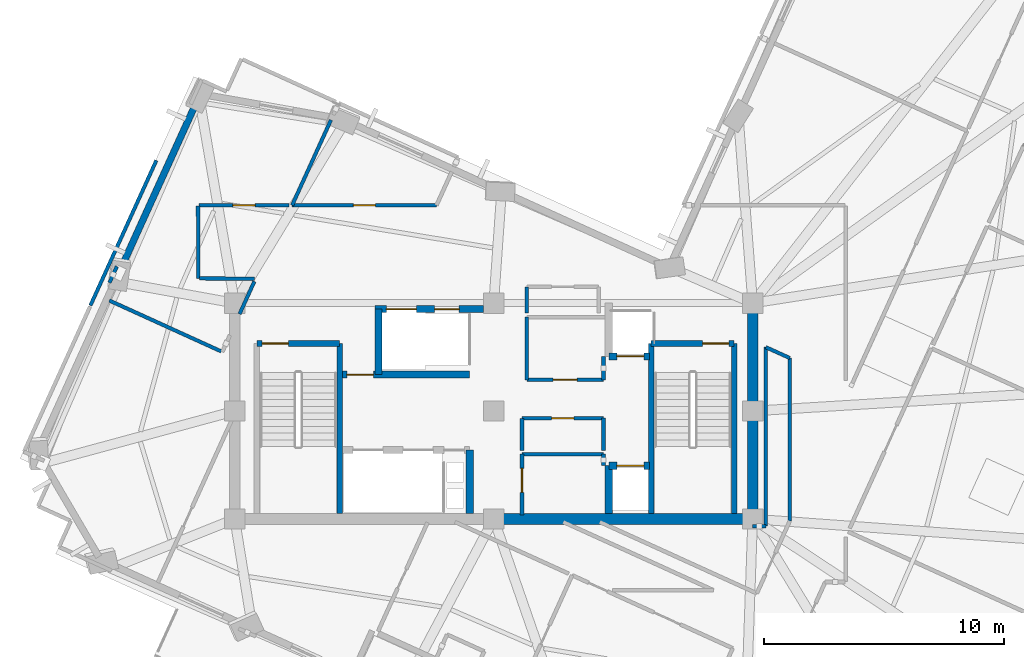
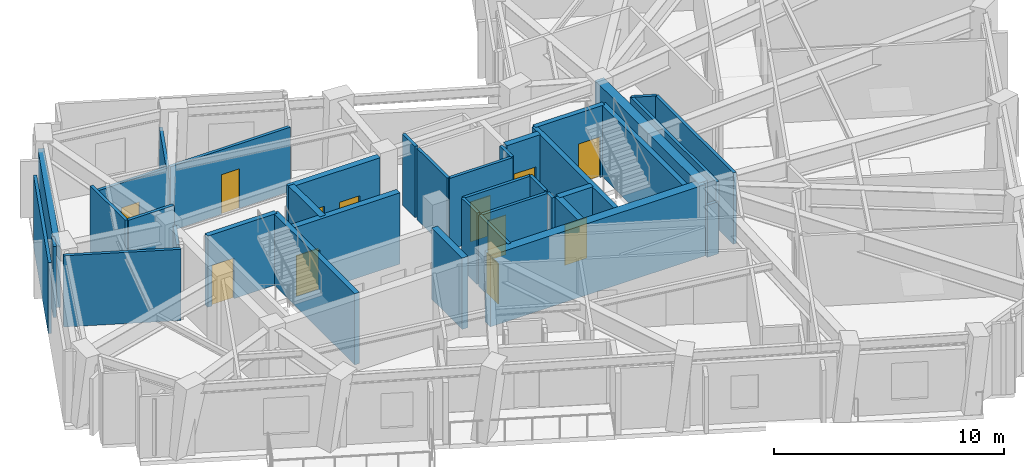
# One storey, part 6 of 13: 38 walls, 12 doors, 12 openings.
"""IFC4 building model written with IfcOpenShell, lengths in metres."""

from ifc_helpers import new_model, si_unit, direction, frame, frame_2d, origin, place, context, subcontext, project, spatial, rectangle, extrude, material, layer, layer_set, type_object, element, fill, save


model = new_model("IFC4")

# Units and contexts
model_context = context("Model", 3, precision=1e-05, world=origin(), true_north=direction((0.0, 1.0)))
body_context = subcontext(model_context, "Body", "Model", "MODEL_VIEW")
ifc_project = project(units=[si_unit("LENGTHUNIT", "METRE"), si_unit("AREAUNIT", "SQUARE_METRE"), si_unit("VOLUMEUNIT", "CUBIC_METRE"), si_unit("PLANEANGLEUNIT", "RADIAN"), si_unit("MASSUNIT", "GRAM", prefix="KILO")], contexts=[model_context])

# Site, building, storey
site_placement = place(None, origin())
site = spatial("IfcSite", under=ifc_project, at=site_placement, CompositionType="ELEMENT")
building_placement = place(site_placement, origin())
building = spatial("IfcBuilding", under=site, at=building_placement, Name="Gaonmaruhae Medical Tower", CompositionType="ELEMENT")
storey_placement = place(building_placement, frame((0.0, 0.0, 304.60009765625)))
storey = spatial("IfcBuildingStorey", under=building, at=storey_placement, Name="L73", CompositionType="ELEMENT", Elevation=304.60009765625)

# Walls
ifc_material_1 = material(Name="Concrete C50/60", Category="concrete")
ifc_layer_1 = layer(ifc_material_1, 0.449951171875)
ifc_layer_set_1 = layer_set([ifc_layer_1], Name="Concrete C50/60")
wall_type_1 = type_object("IfcWallType", Name="CW-450 Upper Core Shear Wall", PredefinedType="SHEAR", material=ifc_layer_set_1)
wall_1_placement = place(storey_placement, frame((24.800048828125, 7.800048828125, 0.0), z_axis=(0.0, 0.0, 1.0), x_axis=(1.0, 0.0, 0.0)))
element("IfcWall", 1, at=wall_1_placement, inside=storey, type_object=wall_type_1, Name="L73 Core Shear Wall CSW-S2", PredefinedType="SHEAR", context=body_context, shape_type="SweptSolid", body=[
    extrude(rectangle(XDim=10.800048828125, YDim=0.449951171875, at=frame_2d((5.39990234375, 0.0))), origin(), (0.0, 0.0, 1.0), 3.77978515625),
])
wall_2_placement = place(storey_placement, frame((35.60009765625, 7.800048828125, 0.0), z_axis=(0.0, 0.0, 1.0), x_axis=(0.0, 1.0, 0.0)))
element("IfcWall", 2, at=wall_2_placement, inside=storey, type_object=wall_type_1, Name="L73 Core Shear Wall CSW-E1", PredefinedType="SHEAR", context=body_context, shape_type="SweptSolid", body=[
    extrude(rectangle(XDim=9.0, YDim=0.449951171875, at=frame_2d((4.5, 0.0))), origin(), (0.0, 0.0, 1.0), 3.77978515625),
])
ifc_material_2 = material(Name="Precast concrete C45/55", Category="concrete")
ifc_layer_2 = layer(ifc_material_2, 0.280029296875)
ifc_layer_set_2 = layer_set([ifc_layer_2], Name="Precast concrete C45/55")
wall_type_2 = type_object("IfcWallType", Name="EW-280 Upper Precast Masonry-Frame Facade Wall", PredefinedType="SOLIDWALL", material=ifc_layer_set_2)
wall_3_placement = place(storey_placement, frame((9.256591796875, 18.251953125, 0.0), z_axis=(0.0, 0.0, 1.0), x_axis=(0.413924181298, 0.910311359996, 0.0)))
element("IfcWall", 3, at=wall_3_placement, inside=storey, type_object=wall_type_2, Name="L73 Precast Masonry-Frame Wall N01-N02", PredefinedType="SOLIDWALL", context=body_context, shape_type="SweptSolid", body=[
    extrude(rectangle(XDim=7.43408203125, YDim=0.280029296875, at=frame_2d((3.717041015625, 0.0))), origin(), (0.0, 0.0, 1.0), 3.264892578125),
])

# Wall, opening, door
ifc_material_3 = material(Name="Gypsum board partition", Category="gypsum")
ifc_layer_3 = layer(ifc_material_3, 0.14990234375)
ifc_layer_set_3 = layer_set([ifc_layer_3], Name="Gypsum board partition")
wall_type_3 = type_object("IfcWallType", Name="PW-150 Rated Clinical Corridor Partition", PredefinedType="PARTITIONING", material=ifc_layer_set_3)
wall_4_placement = place(storey_placement, frame((25.97998046875, 7.9599609375, 0.0), z_axis=(0.0, 0.0, 1.0), x_axis=(0.0, 1.0, 0.0)))
wall_4 = element("IfcWall", 4, at=wall_4_placement, inside=storey, type_object=wall_type_3, Name="L73 Interior Partition L73-RCL1-1", PredefinedType="PARTITIONING", context=body_context, shape_type="SweptSolid", body=[
    extrude(rectangle(XDim=2.5400390625, YDim=0.14990234375, at=frame_2d((1.27001953125, 0.0))), origin(), (0.0, 0.0, 1.0), 3.77978515625),
])
opening_1_placement = place(wall_4_placement, frame((0.945068359375, 0.0, 0.0)))
opening_1 = element("IfcOpeningElement", 5, at=opening_1_placement, cuts=wall_4, Name="Opening CD-01", PredefinedType="OPENING", context=body_context, shape_type="SweptSolid", body=[
    extrude(rectangle(XDim=1.0, YDim=2.1201171875, at=frame_2d((0.5, 1.06005859375))), frame((0.0, 0.0849609375, 0.0), z_axis=(0.0, -1.0, 0.0), x_axis=(1.0, 0.0, 0.0)), (0.0, 0.0, 1.0), 0.169921875),
])
ifc_material_4 = material(Name="Antimicrobial laminate timber fire door", Category="wood")
door_type_1 = type_object("IfcDoorType", Name="CD-01 Consultation & Physician Office Door 1000x2120", OperationType="NOTDEFINED", PredefinedType="DOOR", material=ifc_material_4)
door_1_placement = place(opening_1_placement, origin())
door_1 = element("IfcDoor", 6, at=door_1_placement, inside=storey, type_object=door_type_1, Name="L73 Clinical Telemetry and Medication Room Door", OperationType="SINGLE_SWING_RIGHT", OverallHeight=2.1201171875, OverallWidth=1.0, PredefinedType="DOOR", context=body_context, shape_type="SweptSolid", body=[
    extrude(rectangle(XDim=1.0, YDim=2.1201171875, at=frame_2d((0.5, 1.06005859375))), frame((0.0, 0.02490234375, 0.0), z_axis=(0.0, -1.0, 0.0), x_axis=(1.0, 0.0, 0.0)), (0.0, 0.0, 1.0), 0.050048828125),
])
fill(opening_1, door_1)

# Walls
wall_5_placement = place(storey_placement, frame((25.97998046875, 10.5, 0.0), z_axis=(0.0, 0.0, 1.0), x_axis=(1.0, 0.0, 0.0)))
element("IfcWall", 7, at=wall_5_placement, inside=storey, type_object=wall_type_3, Name="L73 Interior Partition L73-RCL1-2", PredefinedType="PARTITIONING", context=body_context, shape_type="SweptSolid", body=[
    extrude(rectangle(XDim=3.39990234375, YDim=0.14990234375, at=frame_2d((1.699951171875, 0.0))), origin(), (0.0, 0.0, 1.0), 3.77978515625),
])
wall_6_placement = place(storey_placement, frame((29.3798828125, 10.5, 0.0), z_axis=(0.0, 0.0, 1.0), x_axis=(0.0, -1.0, 0.0)))
element("IfcWall", 8, at=wall_6_placement, inside=storey, type_object=wall_type_3, Name="L73 Interior Partition L73-RCL1-3", PredefinedType="PARTITIONING", context=body_context, shape_type="SweptSolid", body=[
    extrude(rectangle(XDim=0.47998046875, YDim=0.14990234375, at=frame_2d((0.239990234375, 0.0))), origin(), (0.0, 0.0, 1.0), 3.77978515625),
])
wall_7_placement = place(storey_placement, frame((25.97998046875, 10.659912109375, 0.0), z_axis=(0.0, 0.0, 1.0), x_axis=(0.0, 1.0, 0.0)))
element("IfcWall", 9, at=wall_7_placement, inside=storey, type_object=wall_type_3, Name="L73 Interior Partition L73-CS1-4", PredefinedType="PARTITIONING", context=body_context, shape_type="SweptSolid", body=[
    extrude(rectangle(XDim=1.340087890625, YDim=0.14990234375, at=frame_2d((0.669921875, 0.0))), origin(), (0.0, 0.0, 1.0), 3.77978515625),
])

# Wall, opening, door
wall_8_placement = place(storey_placement, frame((25.97998046875, 12.0, 0.0), z_axis=(0.0, 0.0, 1.0), x_axis=(1.0, 0.0, 0.0)))
wall_8 = element("IfcWall", 10, at=wall_8_placement, inside=storey, type_object=wall_type_3, Name="L73 Interior Partition L73-CS1-5", PredefinedType="PARTITIONING", context=body_context, shape_type="SweptSolid", body=[
    extrude(rectangle(XDim=3.39990234375, YDim=0.14990234375, at=frame_2d((1.699951171875, 0.0))), origin(), (0.0, 0.0, 1.0), 3.77978515625),
])
opening_2_placement = place(wall_8_placement, frame((1.239990234375, 0.0, 0.0)))
opening_2 = element("IfcOpeningElement", 11, at=opening_2_placement, cuts=wall_8, Name="Opening UD-01", PredefinedType="OPENING", context=body_context, shape_type="SweptSolid", body=[
    extrude(rectangle(XDim=0.919921875, YDim=2.10009765625, at=frame_2d((0.4599609375, 1.050048828125))), frame((0.0, 0.0849609375, 0.0), z_axis=(0.0, -1.0, 0.0), x_axis=(1.0, 0.0, 0.0)), (0.0, 0.0, 1.0), 0.169921875),
])
ifc_material_5 = material(Name="Powder-coated steel utility door", Category="steel")
door_type_2 = type_object("IfcDoorType", Name="UD-01 Toilet, Utility & Housekeeping Door 920x2100", OperationType="NOTDEFINED", PredefinedType="DOOR", material=ifc_material_5)
door_2_placement = place(opening_2_placement, origin())
door_2 = element("IfcDoor", 12, at=door_2_placement, inside=storey, type_object=door_type_2, Name="L73 Accessible Staff Toilet Door", OperationType="SINGLE_SWING_LEFT", OverallHeight=2.10009765625, OverallWidth=0.919921875, PredefinedType="DOOR", context=body_context, shape_type="SweptSolid", body=[
    extrude(rectangle(XDim=0.919921875, YDim=2.10009765625, at=frame_2d((0.4599609375, 1.050048828125))), frame((0.0, 0.02490234375, 0.0), z_axis=(0.0, -1.0, 0.0), x_axis=(1.0, 0.0, 0.0)), (0.0, 0.0, 1.0), 0.050048828125),
])
fill(opening_2, door_2)

# Walls
wall_9_placement = place(storey_placement, frame((29.3798828125, 12.0, 0.0), z_axis=(0.0, 0.0, 1.0), x_axis=(0.0, -1.0, 0.0)))
element("IfcWall", 13, at=wall_9_placement, inside=storey, type_object=wall_type_3, Name="L73 Interior Partition L73-CS1-6", PredefinedType="PARTITIONING", context=body_context, shape_type="SweptSolid", body=[
    extrude(rectangle(XDim=1.340087890625, YDim=0.14990234375, at=frame_2d((0.669921875, 0.0))), origin(), (0.0, 0.0, 1.0), 3.77978515625),
])
wall_10_placement = place(storey_placement, frame((26.179931640625, 13.60009765625, 0.0), z_axis=(0.0, 0.0, 1.0), x_axis=(0.0, 1.0, 0.0)))
element("IfcWall", 14, at=wall_10_placement, inside=storey, type_object=wall_type_3, Name="L73 Interior Partition L73-RCL2-7", PredefinedType="PARTITIONING", context=body_context, shape_type="SweptSolid", body=[
    extrude(rectangle(XDim=2.619873046875, YDim=0.14990234375, at=frame_2d((1.31005859375, 0.0))), origin(), (0.0, 0.0, 1.0), 3.77978515625),
])
wall_11_placement = place(storey_placement, frame((29.3798828125, 14.580078125, 0.0), z_axis=(0.0, 0.0, 1.0), x_axis=(0.0, -1.0, 0.0)))
element("IfcWall", 15, at=wall_11_placement, inside=storey, type_object=wall_type_3, Name="L73 Interior Partition L73-RCL2-9", PredefinedType="PARTITIONING", context=body_context, shape_type="SweptSolid", body=[
    extrude(rectangle(XDim=0.97998046875, YDim=0.14990234375, at=frame_2d((0.489990234375, 0.0))), origin(), (0.0, 0.0, 1.0), 3.77978515625),
])

# Wall, opening, door
wall_12_placement = place(storey_placement, frame((29.3798828125, 13.60009765625, 0.0), z_axis=(0.0, 0.0, 1.0), x_axis=(-1.0, 0.0, 0.0)))
wall_12 = element("IfcWall", 16, at=wall_12_placement, inside=storey, type_object=wall_type_3, Name="L73 Interior Partition L73-RCL2-10", PredefinedType="PARTITIONING", context=body_context, shape_type="SweptSolid", body=[
    extrude(rectangle(XDim=3.199951171875, YDim=0.14990234375, at=frame_2d((1.60009765625, 0.0))), origin(), (0.0, 0.0, 1.0), 3.77978515625),
])
opening_3_placement = place(wall_12_placement, frame((1.10009765625, 0.0, 0.0)))
opening_3 = element("IfcOpeningElement", 17, at=opening_3_placement, cuts=wall_12, Name="Opening CD-01", PredefinedType="OPENING", context=body_context, shape_type="SweptSolid", body=[
    extrude(rectangle(XDim=1.0, YDim=2.1201171875, at=frame_2d((0.5, 1.06005859375))), frame((0.0, 0.0849609375, 0.0), z_axis=(0.0, -1.0, 0.0), x_axis=(1.0, 0.0, 0.0)), (0.0, 0.0, 1.0), 0.169921875),
])
door_3_placement = place(opening_3_placement, origin())
door_3 = element("IfcDoor", 18, at=door_3_placement, inside=storey, type_object=door_type_1, Name="L73 High-Zone Specialist Pharmacy Prep Room Door", OperationType="SINGLE_SWING_LEFT", OverallHeight=2.1201171875, OverallWidth=1.0, PredefinedType="DOOR", context=body_context, shape_type="SweptSolid", body=[
    extrude(rectangle(XDim=1.0, YDim=2.1201171875, at=frame_2d((0.5, 1.06005859375))), frame((0.0, 0.02490234375, 0.0), z_axis=(0.0, -1.0, 0.0), x_axis=(1.0, 0.0, 0.0)), (0.0, 0.0, 1.0), 0.050048828125),
])
fill(opening_3, door_3)

# Walls
wall_13_placement = place(storey_placement, frame((26.179931640625, 16.3798828125, 0.0), z_axis=(0.0, 0.0, 1.0), x_axis=(0.0, 1.0, 0.0)))
element("IfcWall", 19, at=wall_13_placement, inside=storey, type_object=wall_type_3, Name="L73 Interior Partition L73-CS2-11", PredefinedType="PARTITIONING", context=body_context, shape_type="SweptSolid", body=[
    extrude(rectangle(XDim=1.10009765625, YDim=0.14990234375, at=frame_2d((0.550048828125, 0.0))), origin(), (0.0, 0.0, 1.0), 3.77978515625),
])
wall_14_placement = place(storey_placement, frame((35.60009765625, 7.5, 0.0), z_axis=(0.0, 0.0, 1.0), x_axis=(1.0, 0.0, 0.0)))
element("IfcWall", 20, at=wall_14_placement, inside=storey, type_object=wall_type_3, Name="L73 Interior Partition L73-IE01-61", PredefinedType="PARTITIONING", context=body_context, shape_type="SweptSolid", body=[
    extrude(rectangle(XDim=0.5498046875, YDim=0.14990234375, at=frame_2d((0.27490234375, 0.0))), origin(), (0.0, 0.0, 1.0), 2.764892578125),
])
wall_15_placement = place(storey_placement, frame((36.14990234375, 7.5, 0.0), z_axis=(0.0, 0.0, 1.0), x_axis=(0.0, 1.0, 0.0)))
element("IfcWall", 21, at=wall_15_placement, inside=storey, type_object=wall_type_3, Name="L73 Interior Partition L73-IE01-62", PredefinedType="PARTITIONING", context=body_context, shape_type="SweptSolid", body=[
    extrude(rectangle(XDim=7.462890625, YDim=0.14990234375, at=frame_2d((3.7314453125, 0.0))), origin(), (0.0, 0.0, 1.0), 3.77978515625),
])
wall_16_placement = place(storey_placement, frame((36.14990234375, 14.962890625, 0.0), z_axis=(0.0, 0.0, 1.0), x_axis=(0.910602348761, -0.413283634362, 0.0)))
element("IfcWall", 22, at=wall_16_placement, inside=storey, type_object=wall_type_3, Name="L73 Interior Partition L73-IE01-63", PredefinedType="PARTITIONING", context=body_context, shape_type="SweptSolid", body=[
    extrude(rectangle(XDim=1.09814453125, YDim=0.14990234375, at=frame_2d((0.549072265625, 0.0))), origin(), (0.0, 0.0, 1.0), 3.77978515625),
])
wall_17_placement = place(storey_placement, frame((37.14990234375, 14.509033203125, 0.0), z_axis=(0.0, 0.0, 1.0), x_axis=(0.0, -1.0, 0.0)))
element("IfcWall", 23, at=wall_17_placement, inside=storey, type_object=wall_type_3, Name="L73 Interior Partition L73-IE01-64", PredefinedType="PARTITIONING", context=body_context, shape_type="SweptSolid", body=[
    extrude(rectangle(XDim=6.7861328125, YDim=0.14990234375, at=frame_2d((3.39306640625, 0.0))), origin(), (0.0, 0.0, 1.0), 3.77978515625),
])

# Wall, opening, door
wall_18_placement = place(storey_placement, frame((22.4140625, 20.8798828125, 0.0), z_axis=(0.0, 0.0, 1.0), x_axis=(-1.0, 0.0, 0.0)))
wall_18 = element("IfcWall", 24, at=wall_18_placement, inside=storey, type_object=wall_type_3, Name="L73 Interior Partition L73-IN02-85", PredefinedType="PARTITIONING", context=body_context, shape_type="SweptSolid", body=[
    extrude(rectangle(XDim=6.01904296875, YDim=0.14990234375, at=frame_2d((3.009521484375, 0.0))), origin(), (0.0, 0.0, 1.0), 3.414794921875),
])
opening_4_placement = place(wall_18_placement, frame((2.549560546875, 0.0, 0.0)))
opening_4 = element("IfcOpeningElement", 25, at=opening_4_placement, cuts=wall_18, Name="Opening UD-01", PredefinedType="OPENING", context=body_context, shape_type="SweptSolid", body=[
    extrude(rectangle(XDim=0.919921875, YDim=2.10009765625, at=frame_2d((0.4599609375, 1.050048828125))), frame((0.0, 0.0849609375, 0.0), z_axis=(0.0, -1.0, 0.0), x_axis=(1.0, 0.0, 0.0)), (0.0, 0.0, 1.0), 0.169921875),
])
door_4_placement = place(opening_4_placement, origin())
door_4 = element("IfcDoor", 26, at=door_4_placement, inside=storey, type_object=door_type_2, Name="L73 Ward Nutrition Pantry Door", OperationType="SINGLE_SWING_RIGHT", OverallHeight=2.10009765625, OverallWidth=0.919921875, PredefinedType="DOOR", context=body_context, shape_type="SweptSolid", body=[
    extrude(rectangle(XDim=0.919921875, YDim=2.10009765625, at=frame_2d((0.4599609375, 1.050048828125))), frame((0.0, 0.02490234375, 0.0), z_axis=(0.0, -1.0, 0.0), x_axis=(1.0, 0.0, 0.0)), (0.0, 0.0, 1.0), 0.050048828125),
])
fill(opening_4, door_4)

# Walls
wall_19_placement = place(storey_placement, frame((16.39501953125, 20.8798828125, 0.0), z_axis=(0.0, 0.0, 1.0), x_axis=(0.413930001639, 0.910308713428, 0.0)))
element("IfcWall", 27, at=wall_19_placement, inside=storey, type_object=wall_type_3, Name="L73 Interior Partition L73-IN02-86", PredefinedType="PARTITIONING", context=body_context, shape_type="SweptSolid", body=[
    extrude(rectangle(XDim=3.90869140625, YDim=0.14990234375, at=frame_2d((1.954345703125, 0.0))), origin(), (0.0, 0.0, 1.0), 2.764892578125),
])
wall_20_placement = place(storey_placement, frame((12.469970703125, 20.85009765625, 0.0), z_axis=(0.0, 0.0, 1.0), x_axis=(0.002345133451, -0.999997250171, 0.0)))
element("IfcWall", 28, at=wall_20_placement, inside=storey, type_object=wall_type_3, Name="L73 Interior Partition L73-IN03-88", PredefinedType="PARTITIONING", context=body_context, shape_type="SweptSolid", body=[
    extrude(rectangle(XDim=3.01904296875, YDim=0.14990234375, at=frame_2d((1.509521484375, 0.0))), origin(), (0.0, 0.0, 1.0), 3.77978515625),
])
wall_21_placement = place(storey_placement, frame((12.527099609375, 17.8310546875, 0.0), z_axis=(0.0, 0.0, 1.0), x_axis=(0.999988521863, -0.004791256759, 0.0)))
element("IfcWall", 29, at=wall_21_placement, inside=storey, type_object=wall_type_3, Name="L73 Interior Partition L73-IN03-89", PredefinedType="PARTITIONING", context=body_context, shape_type="SweptSolid", body=[
    extrude(rectangle(XDim=2.29296875, YDim=0.14990234375, at=frame_2d((1.146484375, 0.0))), origin(), (0.0, 0.0, 1.0), 3.77978515625),
])
wall_22_placement = place(storey_placement, frame((14.820068359375, 17.70703125, 0.0), z_axis=(0.0, 0.0, 1.0), x_axis=(-0.414110008053, -0.910226840535, 0.0)))
element("IfcWall", 30, at=wall_22_placement, inside=storey, type_object=wall_type_3, Name="L73 Interior Partition L73-IN03-90", PredefinedType="PARTITIONING", context=body_context, shape_type="SweptSolid", body=[
    extrude(rectangle(XDim=1.49755859375, YDim=0.14990234375, at=frame_2d((0.748779296875, 0.0))), origin(), (0.0, 0.0, 1.0), 2.764892578125),
])
wall_23_placement = place(storey_placement, frame((13.43701171875, 14.7880859375, 0.0), z_axis=(0.0, 0.0, 1.0), x_axis=(-0.910338738777, 0.413863963981, 0.0)))
element("IfcWall", 31, at=wall_23_placement, inside=storey, type_object=wall_type_3, Name="L73 Interior Partition L73-IN03-92", PredefinedType="PARTITIONING", context=body_context, shape_type="SweptSolid", body=[
    extrude(rectangle(XDim=5.12451171875, YDim=0.14990234375, at=frame_2d((2.562255859375, 0.0))), origin(), (0.0, 0.0, 1.0), 3.77978515625),
])
wall_24_placement = place(storey_placement, frame((8.77490234375, 17.64990234375, 0.0), z_axis=(0.0, 0.0, 1.0), x_axis=(0.413704460003, 0.910411236625, 0.0)))
element("IfcWall", 32, at=wall_24_placement, inside=storey, type_object=wall_type_3, Name="L73 Interior Partition L73-IN03-93", PredefinedType="PARTITIONING", context=body_context, shape_type="SweptSolid", body=[
    extrude(rectangle(XDim=0.7470703125, YDim=0.14990234375, at=frame_2d((0.37353515625, 0.0))), origin(), (0.0, 0.0, 1.0), 3.77978515625),
])

# Wall, opening, door
wall_25_placement = place(storey_placement, frame((16.262939453125, 20.8798828125, 0.0), z_axis=(0.0, 0.0, 1.0), x_axis=(-0.999999966127, -0.000260281095, 0.0)))
wall_25 = element("IfcWall", 33, at=wall_25_placement, inside=storey, type_object=wall_type_3, Name="L73 Interior Partition L73-IN03-98", PredefinedType="PARTITIONING", context=body_context, shape_type="SweptSolid", body=[
    extrude(rectangle(XDim=3.751953125, YDim=0.14990234375, at=frame_2d((1.8759765625, 0.0))), origin(), (0.0, 0.0, 1.0), 3.414794921875),
])
opening_5_placement = place(wall_25_placement, frame((1.416015625, 0.0, 0.0)))
opening_5 = element("IfcOpeningElement", 34, at=opening_5_placement, cuts=wall_25, Name="Opening UD-01", PredefinedType="OPENING", context=body_context, shape_type="SweptSolid", body=[
    extrude(rectangle(XDim=0.919921875, YDim=2.10009765625, at=frame_2d((0.4599609375, 1.050048828125))), frame((0.0, 0.0849609375, 0.0), z_axis=(0.0, -1.0, 0.0), x_axis=(1.0, 0.0, 0.0)), (0.0, 0.0, 1.0), 0.169921875),
])
door_5_placement = place(opening_5_placement, origin())
door_5 = element("IfcDoor", 35, at=door_5_placement, inside=storey, type_object=door_type_2, Name="L73 Public Visitor Toilet Door", OperationType="SINGLE_SWING_RIGHT", OverallHeight=2.10009765625, OverallWidth=0.919921875, PredefinedType="DOOR", context=body_context, shape_type="SweptSolid", body=[
    extrude(rectangle(XDim=0.919921875, YDim=2.10009765625, at=frame_2d((0.4599609375, 1.050048828125))), frame((0.0, 0.02490234375, 0.0), z_axis=(0.0, -1.0, 0.0), x_axis=(1.0, 0.0, 0.0)), (0.0, 0.0, 1.0), 0.050048828125),
])
fill(opening_5, door_5)

# Wall
wall_26_placement = place(storey_placement, frame((7.98291015625, 16.70703125, 0.0), z_axis=(0.0, 0.0, 1.0), x_axis=(0.41384726545, 0.910346330184, 0.0)))
element("IfcWall", 36, at=wall_26_placement, inside=storey, type_object=wall_type_3, Name="L73 Interior Partition L73-RM03-104", PredefinedType="PARTITIONING", context=body_context, shape_type="SweptSolid", body=[
    extrude(rectangle(XDim=6.64013671875, YDim=0.14990234375, at=frame_2d((3.320068359375, 0.0))), origin(), (0.0, 0.0, 1.0), 3.77978515625),
])

# Wall, opening, door
ifc_layer_4 = layer(ifc_material_1, 0.239990234375)
ifc_layer_set_4 = layer_set([ifc_layer_4], Name="Concrete C50/60")
wall_type_4 = type_object("IfcWallType", Name="SW-240 Dogleg Stair Tight Shaft Wall", PredefinedType="SOLIDWALL", material=ifc_layer_set_4)
wall_27_placement = place(storey_placement, frame((14.919921875, 15.1201171875, 0.0), z_axis=(0.0, 0.0, 1.0), x_axis=(1.0, 0.0, 0.0)))
wall_27 = element("IfcWall", 37, at=wall_27_placement, inside=storey, type_object=wall_type_4, Name="L73 ST-01 Stair Shaft Wall SHW-ST-01-N", PredefinedType="SOLIDWALL", context=body_context, shape_type="SweptSolid", body=[
    extrude(rectangle(XDim=3.4599609375, YDim=0.239990234375, at=frame_2d((1.72998046875, 0.0))), origin(), (0.0, 0.0, 1.0), 3.77978515625),
])
opening_6_placement = place(wall_27_placement, frame((0.219970703125, 0.0, 0.0)))
opening_6 = element("IfcOpeningElement", 38, at=opening_6_placement, cuts=wall_27, Name="Opening FD-01", PredefinedType="OPENING", context=body_context, shape_type="SweptSolid", body=[
    extrude(rectangle(XDim=1.10009765625, YDim=2.14990234375, at=frame_2d((0.550048828125, 1.074951171875))), frame((0.0, 0.1298828125, 0.0), z_axis=(0.0, -1.0, 0.0), x_axis=(1.0, 0.0, 0.0)), (0.0, 0.0, 1.0), 0.260009765625),
])
ifc_material_6 = material(Name="Powder-coated steel fire door", Category="steel")
door_type_3 = type_object("IfcDoorType", Name="FD-01 Escape Stair Protected Fire Door 1100x2150", OperationType="NOTDEFINED", PredefinedType="DOOR", material=ifc_material_6)
door_6_placement = place(opening_6_placement, origin())
door_6 = element("IfcDoor", 39, at=door_6_placement, inside=storey, type_object=door_type_3, Name="L73 ST-01 Protected Escape Stair Door", OperationType="SINGLE_SWING_RIGHT", OverallHeight=2.14990234375, OverallWidth=1.10009765625, PredefinedType="DOOR", context=body_context, shape_type="SweptSolid", body=[
    extrude(rectangle(XDim=1.10009765625, YDim=2.14990234375, at=frame_2d((0.550048828125, 1.074951171875))), frame((0.0, 0.02490234375, 0.0), z_axis=(0.0, -1.0, 0.0), x_axis=(1.0, 0.0, 0.0)), (0.0, 0.0, 1.0), 0.050048828125),
])
fill(opening_6, door_6)

# Wall
wall_28_placement = place(storey_placement, frame((18.3798828125, 15.1201171875, 0.0), z_axis=(0.0, 0.0, 1.0), x_axis=(0.0, -1.0, 0.0)))
element("IfcWall", 40, at=wall_28_placement, inside=storey, type_object=wall_type_4, Name="L73 ST-01 Stair Shaft Wall SHW-ST-01-E", PredefinedType="SOLIDWALL", context=body_context, shape_type="SweptSolid", body=[
    extrude(rectangle(XDim=7.09521484375, YDim=0.239990234375, at=frame_2d((3.547607421875, 0.0))), origin(), (0.0, 0.0, 1.0), 3.77978515625),
])

# Wall, opening, door
wall_29_placement = place(storey_placement, frame((31.3701171875, 15.1201171875, 0.0), z_axis=(0.0, 0.0, 1.0), x_axis=(1.0, 0.0, 0.0)))
wall_29 = element("IfcWall", 41, at=wall_29_placement, inside=storey, type_object=wall_type_4, Name="L73 ST-02 Stair Shaft Wall SHW-ST-02-N", PredefinedType="SOLIDWALL", context=body_context, shape_type="SweptSolid", body=[
    extrude(rectangle(XDim=3.4599609375, YDim=0.239990234375, at=frame_2d((1.72998046875, 0.0))), origin(), (0.0, 0.0, 1.0), 3.77978515625),
])
opening_7_placement = place(wall_29_placement, frame((2.139892578125, 0.0, 0.0)))
opening_7 = element("IfcOpeningElement", 42, at=opening_7_placement, cuts=wall_29, Name="Opening FD-01", PredefinedType="OPENING", context=body_context, shape_type="SweptSolid", body=[
    extrude(rectangle(XDim=1.10009765625, YDim=2.14990234375, at=frame_2d((0.550048828125, 1.074951171875))), frame((0.0, 0.1298828125, 0.0), z_axis=(0.0, -1.0, 0.0), x_axis=(1.0, 0.0, 0.0)), (0.0, 0.0, 1.0), 0.260009765625),
])
door_7_placement = place(opening_7_placement, origin())
door_7 = element("IfcDoor", 43, at=door_7_placement, inside=storey, type_object=door_type_3, Name="L73 ST-02 Protected Escape Stair Door", OperationType="SINGLE_SWING_LEFT", OverallHeight=2.14990234375, OverallWidth=1.10009765625, PredefinedType="DOOR", context=body_context, shape_type="SweptSolid", body=[
    extrude(rectangle(XDim=1.10009765625, YDim=2.14990234375, at=frame_2d((0.550048828125, 1.074951171875))), frame((0.0, 0.02490234375, 0.0), z_axis=(0.0, -1.0, 0.0), x_axis=(1.0, 0.0, 0.0)), (0.0, 0.0, 1.0), 0.050048828125),
])
fill(opening_7, door_7)

# Walls
for number, where, z_axis, x_axis, name in (
    (44, (34.830078125, 15.1201171875, 0.0), (0.0, 0.0, 1.0), (0.0, -1.0, 0.0), "L73 ST-02 Stair Shaft Wall SHW-ST-02-E"),
    (45, (31.3701171875, 8.02490234375, 0.0), (0.0, 0.0, 1.0), (0.0, 1.0, 0.0), "L73 ST-02 Stair Shaft Wall SHW-ST-02-W"),
):
    element("IfcWall", number, at=place(storey_placement, frame(where, z_axis=z_axis, x_axis=x_axis)), inside=storey, type_object=wall_type_4, Name=name, PredefinedType="SOLIDWALL", context=body_context, shape_type="SweptSolid", body=[
        extrude(rectangle(XDim=7.09521484375, YDim=0.239990234375, at=frame_2d((3.547607421875, 0.0))), origin(), (0.0, 0.0, 1.0), 3.77978515625),
    ])

# Wall, openings, doors
ifc_layer_5 = layer(ifc_material_1, 0.300048828125)
ifc_layer_set_5 = layer_set([ifc_layer_5], Name="Concrete C50/60")
wall_type_5 = type_object("IfcWallType", Name="SW-300 Stair & Lift Hoistway Shaft Wall", PredefinedType="SOLIDWALL", material=ifc_layer_set_5)
wall_30_placement = place(storey_placement, frame((19.85009765625, 16.550048828125, 0.0), z_axis=(0.0, 0.0, 1.0), x_axis=(1.0, 0.0, 0.0)))
wall_30 = element("IfcWall", 46, at=wall_30_placement, inside=storey, type_object=wall_type_5, Name="L73 Core Shear Wall CSW-NB", PredefinedType="SOLIDWALL", context=body_context, shape_type="SweptSolid", body=[
    extrude(rectangle(XDim=4.52490234375, YDim=0.300048828125, at=frame_2d((2.262451171875, 0.0))), origin(), (0.0, 0.0, 1.0), 3.77978515625),
])
opening_8_placement = place(wall_30_placement, frame((0.47509765625, 0.0, 0.0)))
opening_8 = element("IfcOpeningElement", 47, at=opening_8_placement, cuts=wall_30, Name="Opening LD-F1", PredefinedType="OPENING", context=body_context, shape_type="SweptSolid", body=[
    extrude(rectangle(XDim=1.25, YDim=2.179931640625, at=frame_2d((0.625, 1.08984375))), frame((0.0, 0.16015625, 0.0), z_axis=(0.0, -1.0, 0.0), x_axis=(1.0, 0.0, 0.0)), (0.0, 0.0, 1.0), 0.320068359375),
])
opening_9_placement = place(wall_30_placement, frame((2.489990234375, 0.0, 0.0)))
opening_9 = element("IfcOpeningElement", 48, at=opening_9_placement, cuts=wall_30, Name="Opening LD-S1", PredefinedType="OPENING", context=body_context, shape_type="SweptSolid", body=[
    extrude(rectangle(XDim=1.02001953125, YDim=2.1201171875, at=frame_2d((0.510009765625, 1.06005859375))), frame((0.0, 0.16015625, 0.0), z_axis=(0.0, -1.0, 0.0), x_axis=(1.0, 0.0, 0.0)), (0.0, 0.0, 1.0), 0.320068359375),
])
ifc_material_7 = material(Name="Brushed stainless steel 316L landing door", Category="steel")
door_type_4 = type_object("IfcDoorType", Name="LD-F1 Firefighting & Bed Lift Sliding Landing Door 1250x2180", OperationType="NOTDEFINED", PredefinedType="DOOR", material=ifc_material_7)
door_8_placement = place(opening_8_placement, origin())
door_8 = element("IfcDoor", 49, at=door_8_placement, inside=storey, type_object=door_type_4, Name="L73 Service/Bed Lift Landing Door BDL-01", OperationType="DOUBLE_DOOR_SLIDING", OverallHeight=2.179931640625, OverallWidth=1.25, PredefinedType="DOOR", context=body_context, shape_type="SweptSolid", body=[
    extrude(rectangle(XDim=1.25, YDim=2.179931640625, at=frame_2d((0.625, 1.08984375))), frame((0.0, 0.02490234375, 0.0), z_axis=(0.0, -1.0, 0.0), x_axis=(1.0, 0.0, 0.0)), (0.0, 0.0, 1.0), 0.050048828125),
])
fill(opening_8, door_8)
ifc_material_8 = material(Name="Brushed stainless steel 304 landing door", Category="steel")
door_type_5 = type_object("IfcDoorType", Name="LD-S1 Service Lift Sliding Landing Door 1020x2120", OperationType="NOTDEFINED", PredefinedType="DOOR", material=ifc_material_8)
door_9_placement = place(opening_9_placement, origin())
door_9 = element("IfcDoor", 50, at=door_9_placement, inside=storey, type_object=door_type_5, Name="L73 Service/Bed Lift Landing Door SVL-01", OperationType="SLIDING_TO_LEFT", OverallHeight=2.1201171875, OverallWidth=1.02001953125, PredefinedType="DOOR", context=body_context, shape_type="SweptSolid", body=[
    extrude(rectangle(XDim=1.02001953125, YDim=2.1201171875, at=frame_2d((0.510009765625, 1.06005859375))), frame((0.0, 0.02490234375, 0.0), z_axis=(0.0, -1.0, 0.0), x_axis=(1.0, 0.0, 0.0)), (0.0, 0.0, 1.0), 0.050048828125),
])
fill(opening_9, door_9)

# Wall, opening, door
wall_31_placement = place(storey_placement, frame((18.5, 13.820068359375, 0.0), z_axis=(0.0, 0.0, 1.0), x_axis=(1.0, 0.0, 0.0)))
wall_31 = element("IfcWall", 51, at=wall_31_placement, inside=storey, type_object=wall_type_5, Name="L73 Shaft Enclosure Wall SHW-FFL", PredefinedType="SOLIDWALL", context=body_context, shape_type="SweptSolid", body=[
    extrude(rectangle(XDim=5.300048828125, YDim=0.300048828125, at=frame_2d((2.64990234375, 0.0))), origin(), (0.0, 0.0, 1.0), 3.77978515625),
])
opening_10_placement = place(wall_31_placement, frame((0.179931640625, 0.0, 0.0)))
opening_10 = element("IfcOpeningElement", 52, at=opening_10_placement, cuts=wall_31, Name="Opening FD-01", PredefinedType="OPENING", context=body_context, shape_type="SweptSolid", body=[
    extrude(rectangle(XDim=1.10009765625, YDim=2.14990234375, at=frame_2d((0.550048828125, 1.074951171875))), frame((0.0, 0.16015625, 0.0), z_axis=(0.0, -1.0, 0.0), x_axis=(1.0, 0.0, 0.0)), (0.0, 0.0, 1.0), 0.320068359375),
])
door_10_placement = place(opening_10_placement, origin())
door_10 = element("IfcDoor", 53, at=door_10_placement, inside=storey, type_object=door_type_3, Name="L73 Firefighting Lobby Smoke Door", OperationType="SINGLE_SWING_LEFT", OverallHeight=2.14990234375, OverallWidth=1.10009765625, PredefinedType="DOOR", context=body_context, shape_type="SweptSolid", body=[
    extrude(rectangle(XDim=1.10009765625, YDim=2.14990234375, at=frame_2d((0.550048828125, 1.074951171875))), frame((0.0, 0.02490234375, 0.0), z_axis=(0.0, -1.0, 0.0), x_axis=(1.0, 0.0, 0.0)), (0.0, 0.0, 1.0), 0.050048828125),
])
fill(opening_10, door_10)

# Walls
wall_32_placement = place(storey_placement, frame((23.800048828125, 8.02490234375, 0.0), z_axis=(0.0, 0.0, 1.0), x_axis=(0.0, 1.0, 0.0)))
element("IfcWall", 54, at=wall_32_placement, inside=storey, type_object=wall_type_5, Name="L73 Shaft Enclosure Wall SHW-FFE", PredefinedType="SOLIDWALL", context=body_context, shape_type="SweptSolid", body=[
    extrude(rectangle(XDim=2.655029296875, YDim=0.300048828125, at=frame_2d((1.32763671875, 0.0))), origin(), (0.0, 0.0, 1.0), 3.77978515625),
])
wall_33_placement = place(storey_placement, frame((20.0, 13.820068359375, 0.0), z_axis=(0.0, 0.0, 1.0), x_axis=(0.0, 1.0, 0.0)))
element("IfcWall", 55, at=wall_33_placement, inside=storey, type_object=wall_type_5, Name="L73 Shaft Enclosure Wall SHW-BDW", PredefinedType="SOLIDWALL", context=body_context, shape_type="SweptSolid", body=[
    extrude(rectangle(XDim=2.72998046875, YDim=0.300048828125, at=frame_2d((1.364990234375, 0.0))), origin(), (0.0, 0.0, 1.0), 3.77978515625),
])

# Wall, opening, door
wall_34_placement = place(storey_placement, frame((29.60009765625, 10.02001953125, 0.0), z_axis=(0.0, 0.0, 1.0), x_axis=(1.0, 0.0, 0.0)))
wall_34 = element("IfcWall", 56, at=wall_34_placement, inside=storey, type_object=wall_type_5, Name="L73 Shaft Enclosure Wall SHW-PLS", PredefinedType="SOLIDWALL", context=body_context, shape_type="SweptSolid", body=[
    extrude(rectangle(XDim=1.699951171875, YDim=0.300048828125, at=frame_2d((0.85009765625, 0.0))), origin(), (0.0, 0.0, 1.0), 3.77978515625),
])
opening_11_placement = place(wall_34_placement, frame((0.340087890625, 0.0, 0.0)))
opening_11 = element("IfcOpeningElement", 57, at=opening_11_placement, cuts=wall_34, Name="Opening LD-P1", PredefinedType="OPENING", context=body_context, shape_type="SweptSolid", body=[
    extrude(rectangle(XDim=1.1201171875, YDim=2.14990234375, at=frame_2d((0.56005859375, 1.074951171875))), frame((0.0, 0.16015625, 0.0), z_axis=(0.0, -1.0, 0.0), x_axis=(1.0, 0.0, 0.0)), (0.0, 0.0, 1.0), 0.320068359375),
])
door_type_6 = type_object("IfcDoorType", Name="LD-P1 Passenger Lift Sliding Landing Door 1120x2150", OperationType="NOTDEFINED", PredefinedType="DOOR", material=ifc_material_8)
door_11_placement = place(opening_11_placement, origin())
door_11 = element("IfcDoor", 58, at=door_11_placement, inside=storey, type_object=door_type_6, Name="L73 Passenger Lift Landing Door PL-H1", OperationType="DOUBLE_DOOR_SLIDING", OverallHeight=2.14990234375, OverallWidth=1.1201171875, PredefinedType="DOOR", context=body_context, shape_type="SweptSolid", body=[
    extrude(rectangle(XDim=1.1201171875, YDim=2.14990234375, at=frame_2d((0.56005859375, 1.074951171875))), frame((0.0, 0.02490234375, 0.0), z_axis=(0.0, -1.0, 0.0), x_axis=(1.0, 0.0, 0.0)), (0.0, 0.0, 1.0), 0.050048828125),
])
fill(opening_11, door_11)

# Wall
wall_35_placement = place(storey_placement, frame((29.60009765625, 8.02490234375, 0.0), z_axis=(0.0, 0.0, 1.0), x_axis=(0.0, 1.0, 0.0)))
element("IfcWall", 59, at=wall_35_placement, inside=storey, type_object=wall_type_5, Name="L73 Shaft Enclosure Wall SHW-PLD1", PredefinedType="SOLIDWALL", context=body_context, shape_type="SweptSolid", body=[
    extrude(rectangle(XDim=1.9951171875, YDim=0.300048828125, at=frame_2d((0.99755859375, 0.0))), origin(), (0.0, 0.0, 1.0), 3.77978515625),
])

# Wall, opening, door
wall_36_placement = place(storey_placement, frame((29.60009765625, 14.580078125, 0.0), z_axis=(0.0, 0.0, 1.0), x_axis=(1.0, 0.0, 0.0)))
wall_36 = element("IfcWall", 60, at=wall_36_placement, inside=storey, type_object=wall_type_5, Name="L73 Shaft Enclosure Wall SHW-PLN", PredefinedType="SOLIDWALL", context=body_context, shape_type="SweptSolid", body=[
    extrude(rectangle(XDim=1.699951171875, YDim=0.300048828125, at=frame_2d((0.85009765625, 0.0))), origin(), (0.0, 0.0, 1.0), 3.77978515625),
])
opening_12_placement = place(wall_36_placement, frame((0.340087890625, 0.0, 0.0)))
opening_12 = element("IfcOpeningElement", 61, at=opening_12_placement, cuts=wall_36, Name="Opening LD-P1", PredefinedType="OPENING", context=body_context, shape_type="SweptSolid", body=[
    extrude(rectangle(XDim=1.1201171875, YDim=2.14990234375, at=frame_2d((0.56005859375, 1.074951171875))), frame((0.0, 0.16015625, 0.0), z_axis=(0.0, -1.0, 0.0), x_axis=(1.0, 0.0, 0.0)), (0.0, 0.0, 1.0), 0.320068359375),
])
door_12_placement = place(opening_12_placement, origin())
door_12 = element("IfcDoor", 62, at=door_12_placement, inside=storey, type_object=door_type_6, Name="L73 Passenger Lift Landing Door PL-H2", OperationType="DOUBLE_DOOR_SLIDING", OverallHeight=2.14990234375, OverallWidth=1.1201171875, PredefinedType="DOOR", context=body_context, shape_type="SweptSolid", body=[
    extrude(rectangle(XDim=1.1201171875, YDim=2.14990234375, at=frame_2d((0.56005859375, 1.074951171875))), frame((0.0, 0.02490234375, 0.0), z_axis=(0.0, -1.0, 0.0), x_axis=(1.0, 0.0, 0.0)), (0.0, 0.0, 1.0), 0.050048828125),
])
fill(opening_12, door_12)

save(model, "model.ifc")
